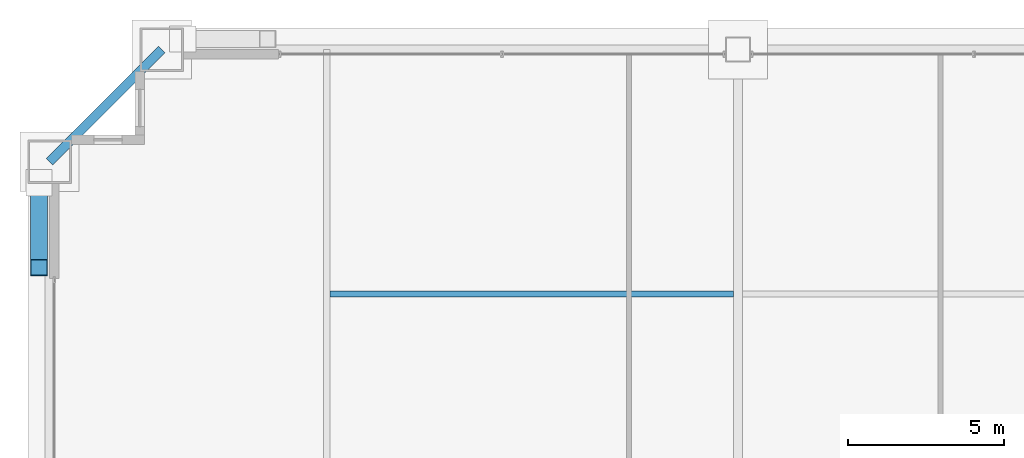
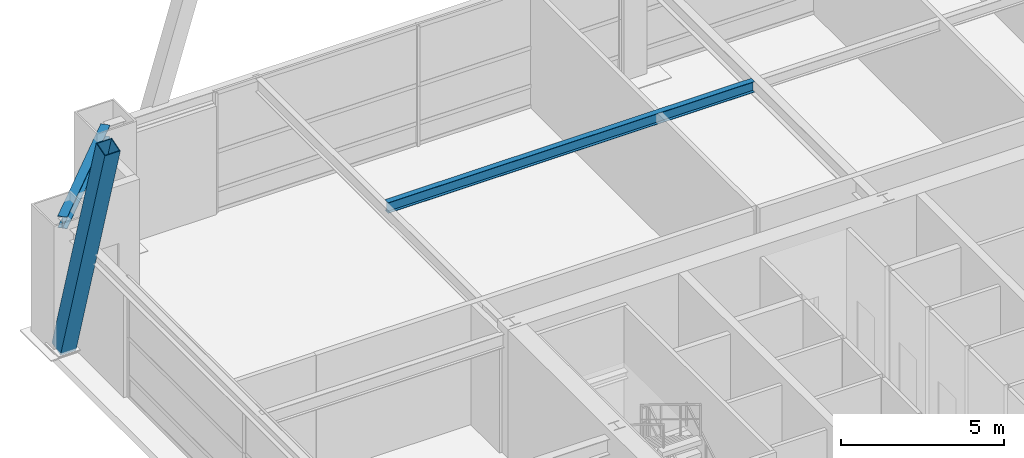
# One storey, part 21 of 34: 2 beams, 1 member.
"""IFC4 building model written with IfcOpenShell, lengths in metres."""

from ifc_helpers import new_model, si_unit, direction, frame, origin, origin_2d, place, context, subcontext, project, spatial, hollow_rectangle, i_section, extrude, source, transform, mapped, material, material_profile, profile_set, type_object, element, save


model = new_model("IFC4")

# Units and contexts
model_context = context("Model", 3, precision=1e-05, world=origin(), true_north=direction((0.0, 1.0)))
body_context = subcontext(model_context, "Body", "Model", "MODEL_VIEW")
ifc_project = project(units=[si_unit("LENGTHUNIT", "METRE"), si_unit("AREAUNIT", "SQUARE_METRE"), si_unit("VOLUMEUNIT", "CUBIC_METRE"), si_unit("PLANEANGLEUNIT", "RADIAN"), si_unit("MASSUNIT", "GRAM", prefix="KILO"), si_unit("THERMODYNAMICTEMPERATUREUNIT", "KELVIN"), si_unit("POWERUNIT", "WATT")], contexts=[model_context])

# Site, building, storey
site_placement = place(None, origin())
site = spatial("IfcSite", under=ifc_project, at=site_placement, CompositionType="ELEMENT")
building_placement = place(site_placement, origin())
building = spatial("IfcBuilding", under=site, at=building_placement, Name="Yuzanri Waterfront Tower", CompositionType="ELEMENT")
storey_placement = place(building_placement, frame((0.0, 0.0, 166.800048828125)))
storey = spatial("IfcBuildingStorey", under=building, at=storey_placement, Name="L44", CompositionType="ELEMENT", Elevation=166.800048828125)

# Beams
ifc_material_1 = material(Name="Steel Q355B", Category="steel")
ifc_material_profile_1 = material_profile(ifc_material_1, i_section(OverallWidth=0.199951171875, OverallDepth=0.39990234375, WebThickness=0.008056640625, FlangeThickness=0.012939453125, at=origin_2d()), Name="HN 400x200x8x13")
ifc_profile_set_1 = profile_set([ifc_material_profile_1], Name="Steel Q355B")
beam_type_1 = type_object("IfcBeamType", Name="Floor Joist Q355B HN 400x200", PredefinedType="JOIST", material=ifc_profile_set_1)
shared_shape_1 = source(origin(), body_context, "Body", "SweptSolid", [
    extrude(i_section(OverallWidth=0.199951171875, OverallDepth=0.39990234375, WebThickness=0.008056640625, FlangeThickness=0.012939453125, at=origin_2d()), origin(), (0.0, 0.0, 1.0), 12.9501953125),
])
beam_1_placement = place(storey_placement, frame((23.89990234375, 40.050048828125, 4.300048828125), z_axis=(1.0, 0.0, 0.0), x_axis=(0.0, 1.0, 0.0)))
element("IfcBeam", 1, at=beam_1_placement, inside=storey, type_object=beam_type_1, Name="L44 North Bay Joist W", PredefinedType="JOIST", context=body_context, shape_type="MappedRepresentation", body=[
    mapped(shared_shape_1, transform((0.0, 0.0, 0.0), scale=1.0)),
])
ifc_material_2 = material(Name="Steel Q355B", Category="steel")
ifc_material_profile_2 = material_profile(ifc_material_2, i_section(OverallWidth=0.300048828125, OverallDepth=0.43994140625, WebThickness=0.010986328125, FlangeThickness=0.01806640625, at=origin_2d()), Name="HM 440x300x11x18")
ifc_profile_set_2 = profile_set([ifc_material_profile_2], Name="Steel Q355B")
beam_type_2 = type_object("IfcBeamType", Name="Perimeter Spandrel Q355B HM 440x300", PredefinedType="SPANDREL", material=ifc_profile_set_2)
shared_shape_2 = source(origin(), body_context, "Body", "SweptSolid", [
    extrude(i_section(OverallWidth=0.300048828125, OverallDepth=0.43994140625, WebThickness=0.010986328125, FlangeThickness=0.01806640625, at=origin_2d()), origin(), (0.0, 0.0, 1.0), 5.091064453125),
])
beam_2_placement = place(storey_placement, frame((18.5, 47.89990234375, 4.280029296875), z_axis=(-0.707130757816, -0.707082803744, 0.0), x_axis=(0.707082803744, -0.707130757816, 0.0)))
element("IfcBeam", 2, at=beam_2_placement, inside=storey, type_object=beam_type_2, Name="L44 Perimeter Spandrel N1-W3", PredefinedType="SPANDREL", context=body_context, shape_type="MappedRepresentation", body=[
    mapped(shared_shape_2, transform((0.0, 0.0, 0.0), scale=1.0)),
])

# Member
ifc_material_3 = material(Name="Steel Q390GJC", Category="steel")
ifc_material_profile_3 = material_profile(ifc_material_3, hollow_rectangle(XDim=0.550048828125, YDim=0.550048828125, WallThickness=0.02490234375, at=origin_2d()), Name="RHS 550x550x25")
ifc_profile_set_3 = profile_set([ifc_material_profile_3], Name="Steel Q390GJC")
member_type = type_object("IfcMemberType", Name="Mega Brace Mid Q390GJC RHS 550x550x25", PredefinedType="BRACE", material=ifc_profile_set_3)
shared_shape_3 = source(origin(), body_context, "Body", "SweptSolid", [
    extrude(hollow_rectangle(XDim=0.550048828125, YDim=0.550048828125, WallThickness=0.02490234375, at=origin_2d()), origin(), (0.0, 0.0, 1.0), 9.498046875),
])
member_placement = place(storey_placement, frame((14.56005859375, 43.6201171875, 0.179931640625), z_axis=(0.0, -0.286399743323, 0.958110216533), x_axis=(1.0, 0.0, 0.0)))
element("IfcMember", 3, at=member_placement, inside=storey, type_object=member_type, Name="L44-L45 Perimeter Mega-Brace W-R", PredefinedType="BRACE", context=body_context, shape_type="MappedRepresentation", body=[
    mapped(shared_shape_3, transform((0.0, 0.0, 0.0), scale=1.0)),
])

save(model, "model.ifc")
